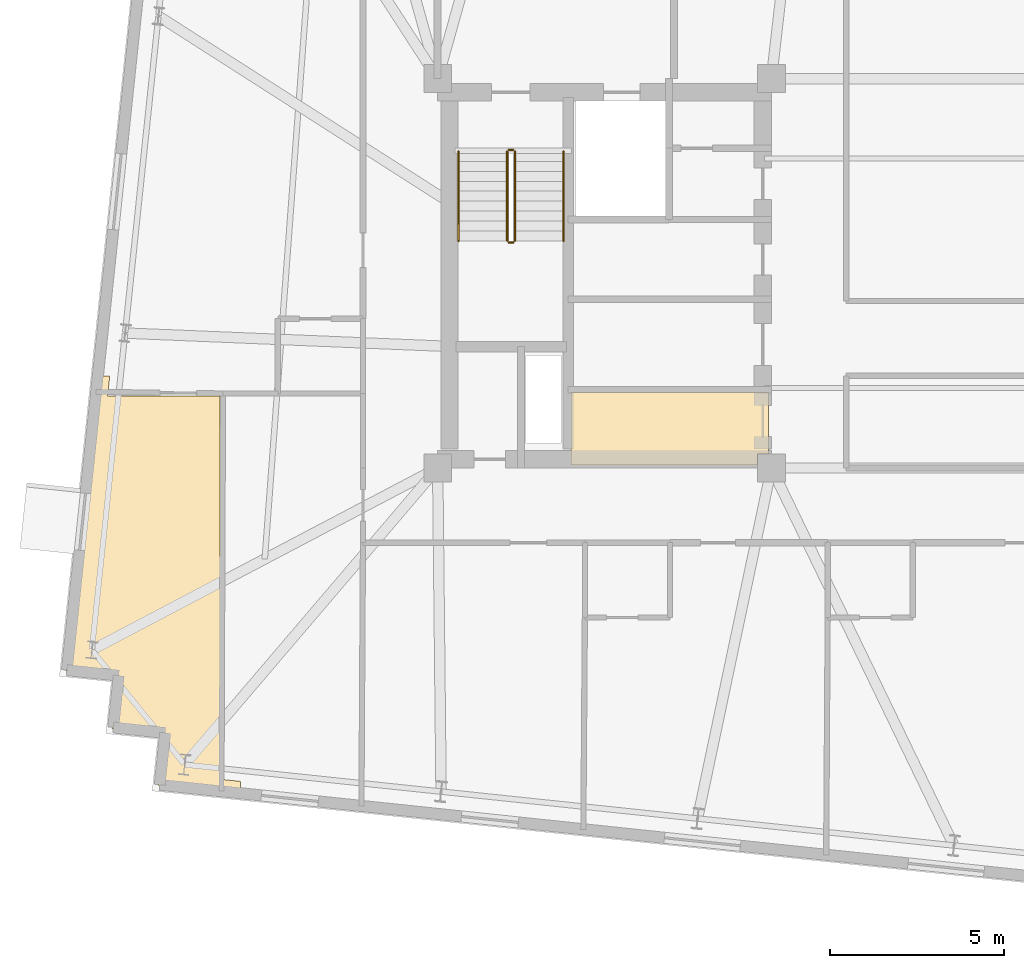
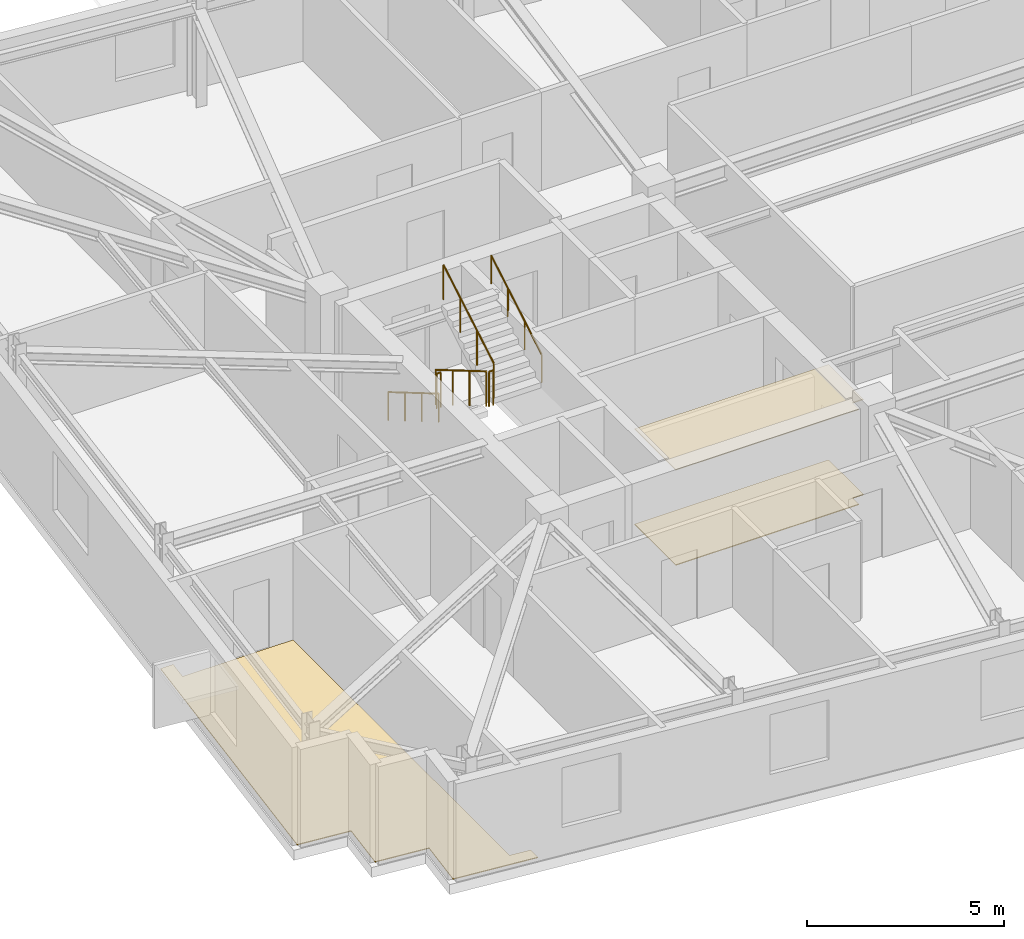
# One storey, part 10 of 11: 6 railings, 3 coverings.
"""IFC4 building model written with IfcOpenShell, lengths in metres."""

from ifc_helpers import new_model, si_unit, direction, frame, origin, origin_2d, place, context, subcontext, project, spatial, polyline, circle, outline, extrude, material, layer, layer_set, type_object, element, save


model = new_model("IFC4")

# Units and contexts
model_context = context("Model", 3, precision=1e-05, world=origin(), true_north=direction((0.0, 1.0)))
body_context = subcontext(model_context, "Body", "Model", "MODEL_VIEW")
ifc_project = project(units=[si_unit("LENGTHUNIT", "METRE"), si_unit("AREAUNIT", "SQUARE_METRE"), si_unit("VOLUMEUNIT", "CUBIC_METRE"), si_unit("PLANEANGLEUNIT", "RADIAN"), si_unit("MASSUNIT", "GRAM", prefix="KILO")], contexts=[model_context])

# Site, building, storey
site_placement = place(None, origin())
site = spatial("IfcSite", under=ifc_project, at=site_placement, CompositionType="ELEMENT")
building_placement = place(site_placement, origin())
building = spatial("IfcBuilding", under=site, at=building_placement, Name="Qobustan Lattice House", CompositionType="ELEMENT")
storey_placement = place(building_placement, frame((0.0, 0.0, 206.449951171875)))
storey = spatial("IfcBuildingStorey", under=building, at=storey_placement, Name="L58", CompositionType="ELEMENT", Elevation=206.449951171875)

# Coverings
ifc_material_1 = material(Name="Perforated gypsum acoustic ceiling", Category="gypsum")
ifc_layer_1 = layer(ifc_material_1, 0.030029296875)
ifc_layer_set_1 = layer_set([ifc_layer_1], Name="Perforated gypsum acoustic ceiling")
covering_type_1 = type_object("IfcCoveringType", Name="COV-ACOUSTIC-CEIL", PredefinedType="CEILING", material=ifc_layer_set_1)
covering_1_placement = place(storey_placement, frame((0.0, 0.0, 2.949951171875)))
element("IfcCovering", 1, at=covering_1_placement, inside=storey, type_object=covering_type_1, Name="L58 Quiet study alcove acoustic ceiling", PredefinedType="CEILING", context=body_context, shape_type="SweptSolid", body=[
    extrude(outline(polyline([(-9.280029296875, -3.429931640625), (-14.969970703125, -3.429931640625), (-14.969970703125, -5.52001953125), (-9.60205078125, -5.52001953125), (-9.60205078125, -5.197998046875), (-9.280029296875, -5.197998046875), (-9.280029296875, -3.429931640625)])), origin(), (0.0, 0.0, 1.0), 0.030029296875),
])
ifc_material_2 = material(Name="Honed Absheron stone terrazzo flooring", Category="masonry")
ifc_layer_2 = layer(ifc_material_2, 0.02490234375)
ifc_layer_set_2 = layer_set([ifc_layer_2], Name="Honed Absheron stone terrazzo flooring")
covering_type_2 = type_object("IfcCoveringType", Name="COV-TERRAZZO-FLR", PredefinedType="FLOORING", material=ifc_layer_set_2)
covering_2_placement = place(storey_placement, origin())
element("IfcCovering", 2, at=covering_2_placement, inside=storey, type_object=covering_type_2, Name="L58 Quiet study alcove stone terrazzo flooring", PredefinedType="FLOORING", context=body_context, shape_type="SweptSolid", body=[
    extrude(outline(polyline([(-9.280029296875, -3.429931640625), (-14.969970703125, -3.429931640625), (-14.969970703125, -5.52001953125), (-9.60205078125, -5.52001953125), (-9.60205078125, -5.197998046875), (-9.280029296875, -5.197998046875), (-9.280029296875, -3.429931640625)])), origin(), (0.0, 0.0, 1.0), 0.025146484375),
])
covering_3_placement = place(storey_placement, origin())
element("IfcCovering", 3, at=covering_3_placement, inside=storey, type_object=covering_type_2, Name="L58 Focus study room W1A stone terrazzo flooring", PredefinedType="FLOORING", context=body_context, shape_type="SweptSolid", body=[
    extrude(outline(polyline([(-26.826416015625, -14.73779296875), (-24.475830078125, -14.984619140625), (-24.475830078125, -14.61279296875), (-25.055908203125, -14.5517578125), (-25.055908203125, -3.535888671875), (-28.29345703125, -3.535888671875), (-28.232421875, -2.9560546875), (-28.6044921875, -2.9560546875), (-29.496337890625, -11.4404296875), (-28.004638671875, -11.597412109375), (-28.161376953125, -13.089111328125), (-26.669677734375, -13.245849609375), (-26.826416015625, -14.73779296875)])), origin(), (0.0, 0.0, 1.0), 0.025146484375),
])

# Railings
ifc_material_3 = material(Name="Brushed stainless steel handrail", Category="steel")
railing_type_1 = type_object("IfcRailingType", Name="RAL-HR-920", PredefinedType="HANDRAIL", material=ifc_material_3)
railing_1_placement = place(storey_placement, frame((-18.199951171875, 3.5, 0.16748046875)))
element("IfcRailing", 4, at=railing_1_placement, inside=storey, type_object=railing_type_1, Name="L58 ST-W1 stair handrail 1", PredefinedType="HANDRAIL", context=body_context, shape_type="SweptSolid", body=[
    extrude(circle(Radius=0.02392578125, at=origin_2d()), frame((0.0, 0.0, 0.8759765625), z_axis=(0.0, -0.862113467892, 0.50671527358), x_axis=(1.0, 0.0, 0.0)), (0.0, 0.0, 1.0), 2.97509765625),
    extrude(circle(Radius=0.02099609375, at=origin_2d()), origin(), (0.0, 0.0, 1.0), 0.851806640625),
    extrude(circle(Radius=0.02099609375, at=origin_2d()), frame((0.0, -0.85498046875, 0.50244140625)), (0.0, 0.0, 1.0), 0.851806640625),
    extrude(circle(Radius=0.02099609375, at=origin_2d()), frame((0.0, -1.7099609375, 1.005126953125)), (0.0, 0.0, 1.0), 0.851806640625),
    extrude(circle(Radius=0.02099609375, at=origin_2d()), frame((0.0, -2.56494140625, 1.507568359375)), (0.0, 0.0, 1.0), 0.851806640625),
])
railing_2_placement = place(storey_placement, frame((-15.179931640625, 0.93505859375, 1.842529296875)))
element("IfcRailing", 5, at=railing_2_placement, inside=storey, type_object=railing_type_1, Name="L58 ST-W1 stair handrail 2", PredefinedType="HANDRAIL", context=body_context, shape_type="SweptSolid", body=[
    extrude(circle(Radius=0.02392578125, at=origin_2d()), frame((0.0, 0.0, 0.8759765625), z_axis=(0.0, 0.862113467892, 0.50671527358), x_axis=(-1.0, 0.0, 0.0)), (0.0, 0.0, 1.0), 2.97509765625),
    extrude(circle(Radius=0.02099609375, at=origin_2d()), origin(), (0.0, 0.0, 1.0), 0.851806640625),
    extrude(circle(Radius=0.02099609375, at=origin_2d()), frame((0.0, 0.85498046875, 0.50244140625)), (0.0, 0.0, 1.0), 0.851806640625),
    extrude(circle(Radius=0.02099609375, at=origin_2d()), frame((0.0, 1.7099609375, 1.005126953125)), (0.0, 0.0, 1.0), 0.851806640625),
    extrude(circle(Radius=0.02099609375, at=origin_2d()), frame((0.0, 2.56494140625, 1.507568359375)), (0.0, 0.0, 1.0), 0.851806640625),
])
ifc_material_4 = material(Name="Painted galvanized steel guardrail", Category="steel")
railing_type_2 = type_object("IfcRailingType", Name="RAL-STG-1150", PredefinedType="GUARDRAIL", material=ifc_material_4)
railing_3_placement = place(storey_placement, frame((-16.800048828125, 3.5, 0.16748046875)))
element("IfcRailing", 6, at=railing_3_placement, inside=storey, type_object=railing_type_2, Name="L58 ST-W1 stair guard 1", PredefinedType="GUARDRAIL", context=body_context, shape_type="SweptSolid", body=[
    extrude(circle(Radius=0.02392578125, at=origin_2d()), frame((0.0, 0.0, 1.076171875), z_axis=(0.0, -0.862113467892, 0.50671527358), x_axis=(1.0, 0.0, 0.0)), (0.0, 0.0, 1.0), 2.97509765625),
    extrude(circle(Radius=0.02099609375, at=origin_2d()), origin(), (0.0, 0.0, 1.0), 1.052001953125),
    extrude(circle(Radius=0.02099609375, at=origin_2d()), frame((0.0, -0.85498046875, 0.50244140625)), (0.0, 0.0, 1.0), 1.052001953125),
    extrude(circle(Radius=0.02099609375, at=origin_2d()), frame((0.0, -1.7099609375, 1.005126953125)), (0.0, 0.0, 1.0), 1.052001953125),
    extrude(circle(Radius=0.02099609375, at=origin_2d()), frame((0.0, -2.56494140625, 1.507568359375)), (0.0, 0.0, 1.0), 1.052001953125),
])
railing_4_placement = place(storey_placement, frame((-16.75, 0.885009765625, 1.675048828125)))
element("IfcRailing", 7, at=railing_4_placement, inside=storey, type_object=railing_type_2, Name="L58 ST-W1 stair guard 2", PredefinedType="GUARDRAIL", context=body_context, shape_type="SweptSolid", body=[
    extrude(circle(Radius=0.02392578125, at=origin_2d()), frame((0.0, 0.0, 1.076171875), z_axis=(1.0, 0.0, 0.0), x_axis=(0.0, 1.0, 0.0)), (0.0, 0.0, 1.0), 0.1201171875),
    extrude(circle(Radius=0.02099609375, at=origin_2d()), origin(), (0.0, 0.0, 1.0), 1.052001953125),
    extrude(circle(Radius=0.02099609375, at=origin_2d()), frame((0.1201171875, 0.0, 0.0)), (0.0, 0.0, 1.0), 1.052001953125),
])
railing_5_placement = place(storey_placement, frame((-16.580078125, 0.93505859375, 1.842529296875)))
element("IfcRailing", 8, at=railing_5_placement, inside=storey, type_object=railing_type_2, Name="L58 ST-W1 stair guard 3", PredefinedType="GUARDRAIL", context=body_context, shape_type="SweptSolid", body=[
    extrude(circle(Radius=0.02392578125, at=origin_2d()), frame((0.0, 0.0, 1.076171875), z_axis=(0.0, 0.862113467892, 0.50671527358), x_axis=(-1.0, 0.0, 0.0)), (0.0, 0.0, 1.0), 2.97509765625),
    extrude(circle(Radius=0.02099609375, at=origin_2d()), origin(), (0.0, 0.0, 1.0), 1.052001953125),
    extrude(circle(Radius=0.02099609375, at=origin_2d()), frame((0.0, 0.85498046875, 0.50244140625)), (0.0, 0.0, 1.0), 1.052001953125),
    extrude(circle(Radius=0.02099609375, at=origin_2d()), frame((0.0, 1.7099609375, 1.005126953125)), (0.0, 0.0, 1.0), 1.052001953125),
    extrude(circle(Radius=0.02099609375, at=origin_2d()), frame((0.0, 2.56494140625, 1.507568359375)), (0.0, 0.0, 1.0), 1.052001953125),
])
railing_6_placement = place(storey_placement, frame((-16.75, 3.550048828125, 0.0)))
element("IfcRailing", 9, at=railing_6_placement, inside=storey, type_object=railing_type_2, Name="L58 ST-W1 stair guard 4", PredefinedType="GUARDRAIL", context=body_context, shape_type="SweptSolid", body=[
    extrude(circle(Radius=0.02392578125, at=origin_2d()), frame((0.0, 0.0, 1.076171875), z_axis=(1.0, 0.0, 0.0), x_axis=(0.0, 1.0, 0.0)), (0.0, 0.0, 1.0), 0.1201171875),
    extrude(circle(Radius=0.02099609375, at=origin_2d()), origin(), (0.0, 0.0, 1.0), 1.052001953125),
    extrude(circle(Radius=0.02099609375, at=origin_2d()), frame((0.1201171875, 0.0, 0.0)), (0.0, 0.0, 1.0), 1.052001953125),
])

save(model, "model.ifc")
